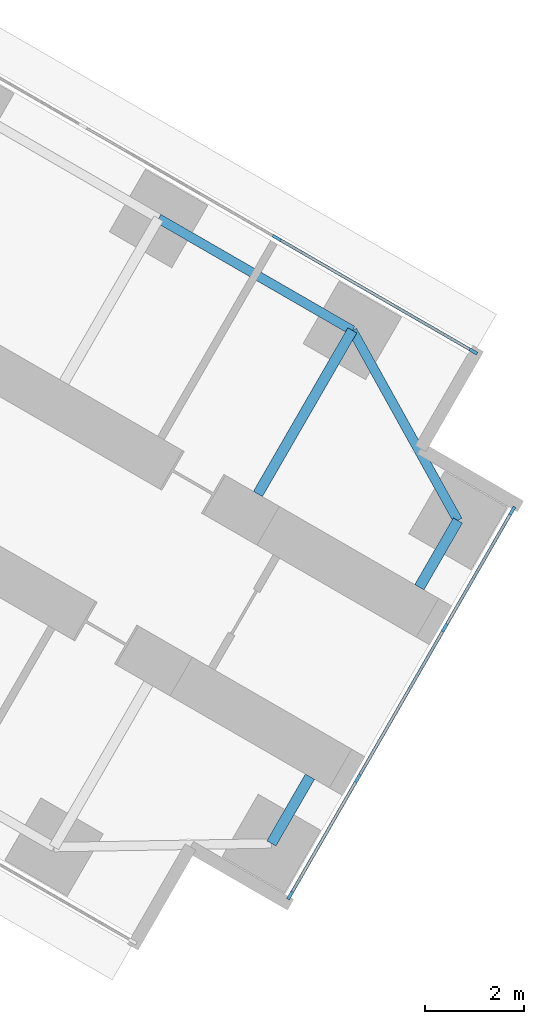
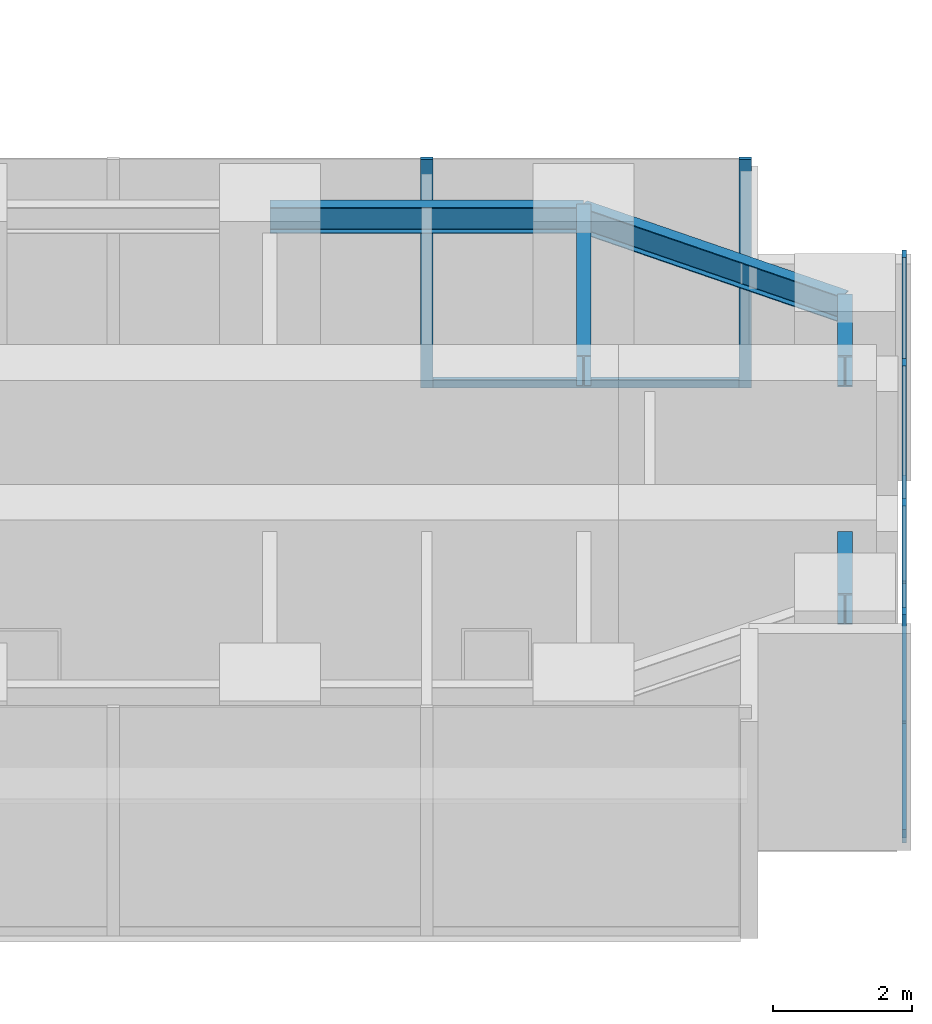
# One storey, part 12 of 24: 10 members, 5 beams, 2 elements without a shape of their own.
"""IFC4 building model written with IfcOpenShell, lengths in metres."""

from ifc_helpers import new_model, si_unit, direction, frame, origin, origin_2d, place, context, subcontext, project, spatial, rectangle, i_section, extrude, material, material_profile, profile_set, type_object, element, aggregate, save


model = new_model("IFC4")

# Units and contexts
model_context = context("Model", 3, precision=1e-05, world=origin(), true_north=direction((0.0, 1.0)))
body_context = subcontext(model_context, "Body", "Model", "MODEL_VIEW")
ifc_project = project(units=[si_unit("LENGTHUNIT", "METRE"), si_unit("AREAUNIT", "SQUARE_METRE"), si_unit("VOLUMEUNIT", "CUBIC_METRE"), si_unit("PLANEANGLEUNIT", "RADIAN"), si_unit("MASSUNIT", "GRAM", prefix="KILO")], contexts=[model_context])

# Site, building, storey
site_placement = place(None, origin())
site = spatial("IfcSite", under=ifc_project, at=site_placement, CompositionType="ELEMENT")
building_placement = place(site_placement, origin())
building = spatial("IfcBuilding", under=site, at=building_placement, Name="Upepo Twin Towers", CompositionType="ELEMENT")
storey_placement = place(building_placement, frame((0.0, 0.0, 56.5)))
storey = spatial("IfcBuildingStorey", under=building, at=storey_placement, Name="L13", CompositionType="ELEMENT", Elevation=56.5)

# Beams
ifc_material_1 = material(Name="Steel S355", Category="steel")
ifc_material_profile_1 = material_profile(ifc_material_1, i_section(OverallWidth=0.1904296875, OverallDepth=0.45703125, WebThickness=0.009033203125, FlangeThickness=0.014404296875, FilletRadius=0.01025390625, at=origin_2d()), Name="UB 457x191x74")
ifc_profile_set_1 = profile_set([ifc_material_profile_1], Name="Steel S355")
beam_type_1 = type_object("IfcBeamType", Name="Beam UB 457x191x74", PredefinedType="BEAM", material=ifc_profile_set_1)
beam_1_placement = place(storey_placement, frame((77.08837890625, -21.803955078125, 3.571533203125), z_axis=(0.866031096941, -0.499990139034, 0.0), x_axis=(0.499990139034, 0.866031096941, 0.0)))
element("IfcBeam", 1, at=beam_1_placement, inside=storey, type_object=beam_type_1, Name="T2 edge beam CL 18.0-22.5", PredefinedType="BEAM", context=body_context, shape_type="SweptSolid", body=[
    extrude(i_section(OverallWidth=0.1904296875, OverallDepth=0.45703125, WebThickness=0.009033203125, FlangeThickness=0.014404296875, FilletRadius=0.01025390625, at=origin_2d()), origin(), (0.0, 0.0, 1.0), 4.5),
])
beam_2_placement = place(storey_placement, frame((80.985595703125, -24.053955078125, 3.571533203125), z_axis=(0.485363242752, -0.874312600038, 0.0), x_axis=(0.874312600038, 0.485363242752, 0.0)))
element("IfcBeam", 2, at=beam_2_placement, inside=storey, type_object=beam_type_1, Name="T2 nose edge beam CL", PredefinedType="BEAM", context=body_context, shape_type="SweptSolid", body=[
    extrude(i_section(OverallWidth=0.1904296875, OverallDepth=0.45703125, WebThickness=0.009033203125, FlangeThickness=0.014404296875, FilletRadius=0.01025390625, at=origin_2d()), origin(), (0.0, 0.0, 1.0), 4.373046875),
])
ifc_material_2 = material(Name="Steel S355", Category="steel")
ifc_material_profile_2 = material_profile(ifc_material_2, i_section(OverallWidth=0.2119140625, OverallDepth=0.54443359375, WebThickness=0.0126953125, FlangeThickness=0.021240234375, FilletRadius=0.0126953125, at=origin_2d()), Name="UB 533x210x122")
ifc_profile_set_2 = profile_set([ifc_material_profile_2], Name="Steel S355")
beam_type_2 = type_object("IfcBeamType", Name="Beam UB 533x210x122", PredefinedType="BEAM", material=ifc_profile_set_2)
for number, where, z_axis, x_axis, name in (
    (3, (83.108154296875, -27.87744140625, 3.52783203125), (-0.499967891604, -0.866043940782, 0.0), (0.866043940782, -0.499967891604, 0.0), "T2 nose beam CL"),
    (4, (79.358154296875, -34.37255859375, 3.52783203125), (0.499967891604, 0.866043940782, 0.0), (-0.866043940782, 0.499967891604, 0.0), "T2 nose beam CR"),
):
    element("IfcBeam", number, at=place(storey_placement, frame(where, z_axis=z_axis, x_axis=x_axis)), inside=storey, type_object=beam_type_2, Name=name, PredefinedType="BEAM", context=body_context, shape_type="SweptSolid", body=[
        extrude(i_section(OverallWidth=0.2119140625, OverallDepth=0.54443359375, WebThickness=0.0126953125, FlangeThickness=0.021240234375, FilletRadius=0.0126953125, at=origin_2d()), origin(), (0.0, 0.0, 1.0), 1.5498046875),
    ])
ifc_material_3 = material(Name="Steel S355", Category="steel")
ifc_material_profile_3 = material_profile(ifc_material_3, i_section(OverallWidth=0.209228515625, OverallDepth=0.533203125, WebThickness=0.010009765625, FlangeThickness=0.015625, FilletRadius=0.0126953125, at=origin_2d()), Name="UB 533x210x92")
ifc_profile_set_3 = profile_set([ifc_material_profile_3], Name="Steel S355")
beam_type_3 = type_object("IfcBeamType", Name="Beam UB 533x210x92", PredefinedType="BEAM", material=ifc_profile_set_3)
beam_3_placement = place(storey_placement, frame((80.985595703125, -24.053955078125, 3.533447265625), z_axis=(-0.499994975061, -0.866028304915, 0.0), x_axis=(0.866028304915, -0.499994975061, 0.0)))
element("IfcBeam", 5, at=beam_3_placement, inside=storey, type_object=beam_type_3, Name="T2 girder CL at 22.5", PredefinedType="BEAM", context=body_context, shape_type="SweptSolid", body=[
    extrude(i_section(OverallWidth=0.209228515625, OverallDepth=0.533203125, WebThickness=0.010009765625, FlangeThickness=0.015625, FilletRadius=0.0126953125, at=origin_2d()), origin(), (0.0, 0.0, 1.0), 3.7998046875),
])

# Curtain wall, members
ifc_material_4 = material(Name="Aluminium and fritted glass", Category="aluminium")
curtain_wall_type = type_object("IfcCurtainWallType", Name="Tower curtain wall TW1, fritted glass", PredefinedType="NOTDEFINED", material=ifc_material_4)
curtain_wall_1_placement = place(storey_placement, origin())
curtain_wall_1 = element("IfcCurtainWall", 6, at=curtain_wall_1_placement, inside=storey, type_object=curtain_wall_type, Name="T2 L13 wing C flank L curtain wall", PredefinedType="NOTDEFINED")
ifc_material_5 = material(Name="Aluminium mullion", Category="aluminium")
ifc_material_profile_4 = material_profile(ifc_material_5, rectangle(XDim=0.06494140625, YDim=0.179931640625, at=origin_2d()), Name="MULLION 65x180")
ifc_profile_set_4 = profile_set([ifc_material_profile_4], Name="Aluminium mullion")
member_type_1 = type_object("IfcMemberType", Name="Mullion 65x180 TW1", PredefinedType="MULLION", material=ifc_profile_set_4)
member_1_placement = place(storey_placement, frame((79.4619140625, -22.192626953125, 0.0), z_axis=(0.0, 0.0, 1.0), x_axis=(0.500000024426, 0.866025389682, 0.0)))
member_1 = element("IfcMember", 7, at=member_1_placement, type_object=member_type_1, Name="T2 L13 wing C flank L curtain wall mullion 3", PredefinedType="MULLION", context=body_context, shape_type="SweptSolid", body=[
    extrude(rectangle(XDim=0.06494140625, YDim=0.179931640625, at=origin_2d()), origin(), (0.0, 0.0, 1.0), 4.0),
])
member_2_placement = place(storey_placement, frame((83.41748046875, -24.4765625, 0.0), z_axis=(0.0, 0.0, 1.0), x_axis=(0.500000024426, 0.866025389682, 0.0)))
member_2 = element("IfcMember", 8, at=member_2_placement, type_object=member_type_1, Name="T2 L13 wing C flank L curtain wall mullion 4", PredefinedType="MULLION", context=body_context, shape_type="SweptSolid", body=[
    extrude(rectangle(XDim=0.06494140625, YDim=0.179931640625, at=origin_2d()), origin(), (0.0, 0.0, 1.0), 4.0),
])

curtain_wall_2_placement = place(storey_placement, origin())
curtain_wall_2 = element("IfcCurtainWall", 9, at=curtain_wall_2_placement, inside=storey, type_object=curtain_wall_type, Name="T2 L13 wing C nose curtain wall", PredefinedType="NOTDEFINED")
member_3_placement = place(storey_placement, frame((79.735595703125, -35.4189453125, 0.0), z_axis=(0.0, 0.0, 1.0), x_axis=(-0.866025386174, 0.500000030502, 0.0)))
member_3 = element("IfcMember", 10, at=member_3_placement, type_object=member_type_1, Name="T2 L13 wing C nose curtain wall mullion 1", PredefinedType="MULLION", context=body_context, shape_type="SweptSolid", body=[
    extrude(rectangle(XDim=0.06494140625, YDim=0.179931640625, at=origin_2d()), origin(), (0.0, 0.0, 1.0), 4.0),
])
member_4_placement = place(storey_placement, frame((81.09423828125, -33.0654296875, 0.0), z_axis=(0.0, 0.0, 1.0), x_axis=(-0.866025386174, 0.500000030502, 0.0)))
member_4 = element("IfcMember", 11, at=member_4_placement, type_object=member_type_1, Name="T2 L13 wing C nose curtain wall mullion 2", PredefinedType="MULLION", context=body_context, shape_type="SweptSolid", body=[
    extrude(rectangle(XDim=0.06494140625, YDim=0.179931640625, at=origin_2d()), origin(), (0.0, 0.0, 1.0), 4.0),
])
member_5_placement = place(storey_placement, frame((82.84423828125, -30.034423828125, 0.0), z_axis=(0.0, 0.0, 1.0), x_axis=(-0.866025386174, 0.500000030502, 0.0)))
member_5 = element("IfcMember", 12, at=member_5_placement, type_object=member_type_1, Name="T2 L13 wing C nose curtain wall mullion 3", PredefinedType="MULLION", context=body_context, shape_type="SweptSolid", body=[
    extrude(rectangle(XDim=0.06494140625, YDim=0.179931640625, at=origin_2d()), origin(), (0.0, 0.0, 1.0), 4.0),
])
member_6_placement = place(storey_placement, frame((84.203125, -27.68115234375, 0.0), z_axis=(0.0, 0.0, 1.0), x_axis=(-0.866025386174, 0.500000030502, 0.0)))
member_6 = element("IfcMember", 13, at=member_6_placement, type_object=member_type_1, Name="T2 L13 wing C nose curtain wall mullion 4", PredefinedType="MULLION", context=body_context, shape_type="SweptSolid", body=[
    extrude(rectangle(XDim=0.06494140625, YDim=0.179931640625, at=origin_2d()), origin(), (0.0, 0.0, 1.0), 4.0),
])

# Member
ifc_material_6 = material(Name="Aluminium transom", Category="aluminium")
ifc_material_profile_5 = material_profile(ifc_material_6, rectangle(XDim=0.06494140625, YDim=0.14990234375, at=origin_2d()), Name="TRANSOM 65x150")
ifc_profile_set_5 = profile_set([ifc_material_profile_5], Name="Aluminium transom")
member_type_2 = type_object("IfcMemberType", Name="Transom 65x150 TW1", PredefinedType="USERDEFINED", material=ifc_profile_set_5)
member_7_placement = place(storey_placement, frame((79.490234375, -22.208984375, 0.074951171875), z_axis=(0.866022143554, -0.500005646842, 0.0), x_axis=(0.500005646842, 0.866022143554, 0.0)))
member_7 = element("IfcMember", 14, at=member_7_placement, type_object=member_type_2, Name="T2 L13 wing C flank L curtain wall transom 3", ObjectType="TRANSOM", PredefinedType="USERDEFINED", context=body_context, shape_type="SweptSolid", body=[
    extrude(rectangle(XDim=0.06494140625, YDim=0.14990234375, at=origin_2d()), origin(), (0.0, 0.0, 1.0), 4.50244140625),
])

aggregate(curtain_wall_1, [member_1, member_2, member_7])

member_8_placement = place(storey_placement, frame((79.751708984375, -35.390869140625, 0.074951171875), z_axis=(0.500049101008, 0.865997053448, 0.0), x_axis=(-0.865997053448, 0.500049101008, 0.0)))
member_8 = element("IfcMember", 15, at=member_8_placement, type_object=member_type_2, Name="T2 L13 wing C nose curtain wall transom 1", ObjectType="TRANSOM", PredefinedType="USERDEFINED", context=body_context, shape_type="SweptSolid", body=[
    extrude(rectangle(XDim=0.06494140625, YDim=0.14990234375, at=origin_2d()), origin(), (0.0, 0.0, 1.0), 2.652587890625),
])

member_9_placement = place(storey_placement, frame((81.110595703125, -33.037353515625, 0.074951171875), z_axis=(0.499999305434, 0.866025804792, 0.0), x_axis=(-0.866025804792, 0.499999305434, 0.0)))
member_9 = element("IfcMember", 16, at=member_9_placement, type_object=member_type_2, Name="T2 L13 wing C nose curtain wall transom 2", ObjectType="TRANSOM", PredefinedType="USERDEFINED", context=body_context, shape_type="SweptSolid", body=[
    extrude(rectangle(XDim=0.06494140625, YDim=0.14990234375, at=origin_2d()), origin(), (0.0, 0.0, 1.0), 3.43505859375),
])

member_10_placement = place(storey_placement, frame((82.860595703125, -30.00634765625, 0.074951171875), z_axis=(0.499980071345, 0.866036909293, 0.0), x_axis=(-0.866036909293, 0.499980071345, 0.0)))
member_10 = element("IfcMember", 17, at=member_10_placement, type_object=member_type_2, Name="T2 L13 wing C nose curtain wall transom 3", ObjectType="TRANSOM", PredefinedType="USERDEFINED", context=body_context, shape_type="SweptSolid", body=[
    extrude(rectangle(XDim=0.06494140625, YDim=0.14990234375, at=origin_2d()), origin(), (0.0, 0.0, 1.0), 2.65234375),
])

aggregate(curtain_wall_2, [member_3, member_4, member_5, member_6, member_8, member_9, member_10])

save(model, "model.ifc")
